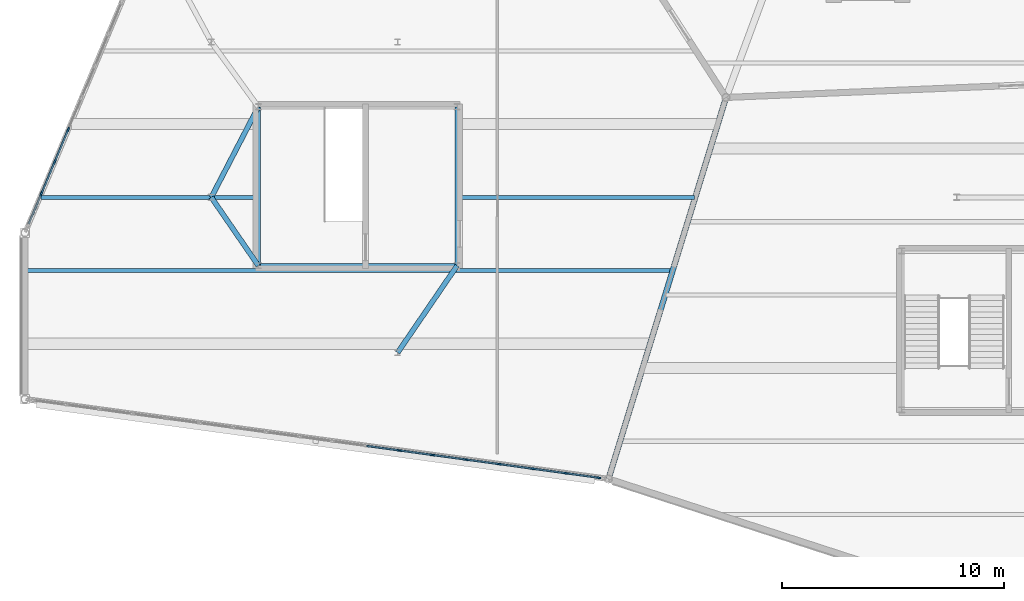
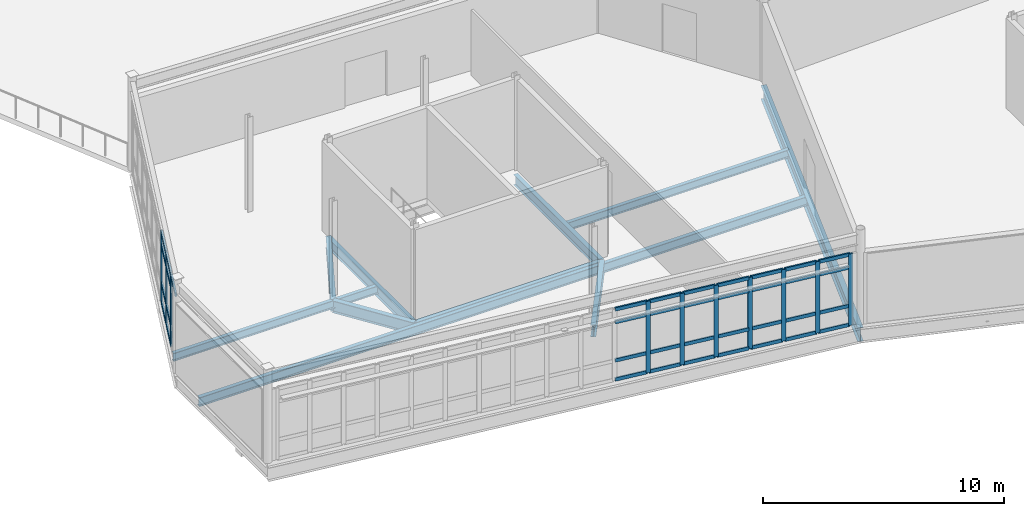
# One storey, part 43 of 114: 47 members, 10 beams, 2 elements without a shape of their own.
"""IFC4 building model written with IfcOpenShell, lengths in metres."""

from ifc_helpers import new_model, si_unit, direction, frame, origin, origin_2d, place, context, subcontext, project, spatial, rectangle, i_section, extrude, material, material_profile, profile_set, type_object, element, aggregate, save


model = new_model("IFC4")

# Units and contexts
model_context = context("Model", 3, precision=1e-05, world=origin(), true_north=direction((0.0, 1.0)))
body_context = subcontext(model_context, "Body", "Model", "MODEL_VIEW")
ifc_project = project(units=[si_unit("LENGTHUNIT", "METRE"), si_unit("AREAUNIT", "SQUARE_METRE"), si_unit("VOLUMEUNIT", "CUBIC_METRE"), si_unit("PLANEANGLEUNIT", "RADIAN"), si_unit("MASSUNIT", "GRAM", prefix="KILO")], contexts=[model_context])

# Site, building, storey
site_placement = place(None, origin())
site = spatial("IfcSite", under=ifc_project, at=site_placement, CompositionType="ELEMENT")
building_placement = place(site_placement, origin())
building = spatial("IfcBuilding", under=site, at=building_placement, Name="Tameran Prism Museum", CompositionType="ELEMENT")
storey_placement = place(building_placement, frame((0.0, 0.0, 10.199951171875)))
storey = spatial("IfcBuildingStorey", under=building, at=storey_placement, Name="L02", CompositionType="ELEMENT", Elevation=10.199951171875)

# Beams
ifc_material_1 = material(Name="Steel Grade 300PLUS (300 MPa)", Category="steel")
ifc_material_profile_1 = material_profile(ifc_material_1, i_section(OverallWidth=0.177978515625, OverallDepth=0.406005859375, WebThickness=0.0078125, FlangeThickness=0.0126953125, FilletRadius=0.011474609375, at=origin_2d()))
ifc_profile_set_1 = profile_set([ifc_material_profile_1])
beam_type_1 = type_object("IfcBeamType", Name="BM-J410A", PredefinedType="JOIST", material=ifc_profile_set_1)
beam_1_placement = place(storey_placement, frame((0.714111328125, 77.0, -0.462890625), z_axis=(1.0, 0.0, 0.0), x_axis=(0.0, 1.0, 0.0)))
element("IfcBeam", 1, at=beam_1_placement, inside=storey, type_object=beam_type_1, Name="Floor Beam BM-0927", PredefinedType="JOIST", context=body_context, shape_type="SweptSolid", body=[
    extrude(i_section(OverallWidth=0.177978515625, OverallDepth=0.406005859375, WebThickness=0.0078125, FlangeThickness=0.0126953125, FilletRadius=0.011474609375, at=origin_2d()), origin(), (0.0, 0.0, 1.0), 9.805908203125),
])
beam_2_placement = place(storey_placement, frame((19.47998046875, 77.0, -0.462890625), z_axis=(1.0, 0.0, 0.0), x_axis=(0.0, 1.0, 0.0)))
element("IfcBeam", 2, at=beam_2_placement, inside=storey, type_object=beam_type_1, Name="Floor Beam BM-0928", PredefinedType="JOIST", context=body_context, shape_type="SweptSolid", body=[
    extrude(i_section(OverallWidth=0.177978515625, OverallDepth=0.406005859375, WebThickness=0.0078125, FlangeThickness=0.0126953125, FilletRadius=0.011474609375, at=origin_2d()), origin(), (0.0, 0.0, 1.0), 10.692138671875),
])
ifc_material_2 = material(Name="Steel Grade 300PLUS (300 MPa)", Category="steel")
ifc_material_profile_2 = material_profile(ifc_material_2, i_section(OverallWidth=0.19091796875, OverallDepth=0.4599609375, WebThickness=0.010009765625, FlangeThickness=0.01611328125, FilletRadius=0.011474609375, at=origin_2d()))
ifc_profile_set_2 = profile_set([ifc_material_profile_2])
beam_type_2 = type_object("IfcBeamType", Name="BM-J460A", PredefinedType="JOIST", material=ifc_profile_set_2)
beam_3_placement = place(storey_placement, frame((0.0400390625, 73.699951171875, -0.489990234375), z_axis=(1.0, 0.0, 0.0), x_axis=(0.0, 1.0, 0.0)))
element("IfcBeam", 3, at=beam_3_placement, inside=storey, type_object=beam_type_2, Name="Floor Beam BM-0926", PredefinedType="JOIST", context=body_context, shape_type="SweptSolid", body=[
    extrude(i_section(OverallWidth=0.19091796875, OverallDepth=0.4599609375, WebThickness=0.010009765625, FlangeThickness=0.01611328125, FilletRadius=0.011474609375, at=origin_2d()), origin(), (0.0, 0.0, 1.0), 29.114990234375),
])
ifc_material_3 = material(Name="Steel Grade 300PLUS (300 MPa)", Category="steel")
ifc_material_profile_3 = material_profile(ifc_material_3, i_section(OverallWidth=0.208984375, OverallDepth=0.528076171875, WebThickness=0.009521484375, FlangeThickness=0.01318359375, FilletRadius=0.013916015625, at=origin_2d()))
ifc_profile_set_3 = profile_set([ifc_material_profile_3])
beam_type_3 = type_object("IfcBeamType", Name="BM-SP530B", PredefinedType="SPANDREL", material=ifc_profile_set_3)
beam_4_placement = place(storey_placement, frame((10.52001953125, 73.919921875, -0.52392578125), z_axis=(1.0, 0.0, 0.0), x_axis=(0.0, 1.0, 0.0)))
element("IfcBeam", 4, at=beam_4_placement, inside=storey, type_object=beam_type_3, Name="Core Ring Beam CTB-0789", PredefinedType="SPANDREL", context=body_context, shape_type="SweptSolid", body=[
    extrude(i_section(OverallWidth=0.208984375, OverallDepth=0.528076171875, WebThickness=0.009521484375, FlangeThickness=0.01318359375, FilletRadius=0.013916015625, at=origin_2d()), origin(), (0.0, 0.0, 1.0), 8.9599609375),
])
for number, where, z_axis, x_axis, name in (
    (5, (19.47998046875, 73.919921875, -0.52392578125), (0.0, 1.0, 0.0), (-1.0, 0.0, 0.0), "Core Ring Beam CTB-0790"),
    (6, (10.52001953125, 81.080078125, -0.52392578125), (0.0, -1.0, 0.0), (1.0, 0.0, 0.0), "Core Ring Beam CTB-0792"),
):
    element("IfcBeam", number, at=place(storey_placement, frame(where, z_axis=z_axis, x_axis=x_axis)), inside=storey, type_object=beam_type_3, Name=name, PredefinedType="SPANDREL", context=body_context, shape_type="SweptSolid", body=[
        extrude(i_section(OverallWidth=0.208984375, OverallDepth=0.528076171875, WebThickness=0.009521484375, FlangeThickness=0.01318359375, FilletRadius=0.013916015625, at=origin_2d()), origin(), (0.0, 0.0, 1.0), 7.16015625),
    ])
ifc_material_4 = material(Name="Steel Grade 350 (350 MPa)", Category="steel")
ifc_material_profile_4 = material_profile(ifc_material_4, i_section(OverallWidth=0.25, OverallDepth=0.699951171875, WebThickness=0.010009765625, FlangeThickness=0.02001953125, at=origin_2d()))
ifc_profile_set_4 = profile_set([ifc_material_profile_4])
beam_type_4 = type_object("IfcBeamType", Name="BM-SP700", PredefinedType="SPANDREL", material=ifc_profile_set_4)
beam_5_placement = place(storey_placement, frame((31.60009765625, 81.5, -0.60986328125), z_axis=(-0.294479498062, -0.955657797133, 0.0), x_axis=(0.955657797133, -0.294479498062, 0.0)))
element("IfcBeam", 7, at=beam_5_placement, inside=storey, type_object=beam_type_4, Name="Perimeter Spandrel SP-0731", PredefinedType="SPANDREL", context=body_context, shape_type="SweptSolid", body=[
    extrude(i_section(OverallWidth=0.25, OverallDepth=0.699951171875, WebThickness=0.010009765625, FlangeThickness=0.02001953125, at=origin_2d()), origin(), (0.0, 0.0, 1.0), 17.998046875),
])
ifc_material_5 = material(Name="Steel Grade 300PLUS (300 MPa)", Category="steel")
ifc_material_profile_5 = material_profile(ifc_material_5, i_section(OverallWidth=0.22900390625, OverallDepth=0.612060546875, WebThickness=0.011962890625, FlangeThickness=0.01953125, FilletRadius=0.013916015625, at=origin_2d()))
ifc_profile_set_5 = profile_set([ifc_material_profile_5])
beam_type_5 = type_object("IfcBeamType", Name="BM-UB610A", PredefinedType="BEAM", material=ifc_profile_set_5)
beam_6_placement = place(storey_placement, frame((8.39990234375, 77.0, -0.56591796875), z_axis=(0.566994261507, -0.823721741499, 0.0), x_axis=(0.823721741499, 0.566994261507, 0.0)))
element("IfcBeam", 8, at=beam_6_placement, inside=storey, type_object=beam_type_5, Name="Frame Tie Girder FG-1347", PredefinedType="BEAM", context=body_context, shape_type="SweptSolid", body=[
    extrude(i_section(OverallWidth=0.22900390625, OverallDepth=0.612060546875, WebThickness=0.011962890625, FlangeThickness=0.01953125, FilletRadius=0.013916015625, at=origin_2d()), origin(), (0.0, 0.0, 1.0), 3.7392578125),
])
beam_7_placement = place(storey_placement, frame((8.39990234375, 77.0, -0.56591796875), z_axis=(0.461091914182, 0.887352380217, 0.0), x_axis=(-0.887352380217, 0.461091914182, 0.0)))
element("IfcBeam", 9, at=beam_7_placement, inside=storey, type_object=beam_type_5, Name="Frame Tie Girder FG-1348", PredefinedType="BEAM", context=body_context, shape_type="SweptSolid", body=[
    extrude(i_section(OverallWidth=0.22900390625, OverallDepth=0.612060546875, WebThickness=0.011962890625, FlangeThickness=0.01953125, FilletRadius=0.013916015625, at=origin_2d()), origin(), (0.0, 0.0, 1.0), 4.59814453125),
])
beam_8_placement = place(storey_placement, frame((16.800048828125, 70.0, -0.56591796875), z_axis=(0.564379754133, 0.825515289456, 0.0), x_axis=(-0.825515289456, 0.564379754133, 0.0)))
element("IfcBeam", 10, at=beam_8_placement, inside=storey, type_object=beam_type_5, Name="Frame Tie Girder FG-1357", PredefinedType="BEAM", context=body_context, shape_type="SweptSolid", body=[
    extrude(i_section(OverallWidth=0.22900390625, OverallDepth=0.612060546875, WebThickness=0.011962890625, FlangeThickness=0.01953125, FilletRadius=0.013916015625, at=origin_2d()), origin(), (0.0, 0.0, 1.0), 4.74853515625),
])

# Curtain wall, members
ifc_material_6 = material(Name="Anodised Aluminium 6063-T6 and Cyclone Solar Glass", Category="aluminium")
curtain_wall_type_1 = type_object("IfcCurtainWallType", Name="CW-FAC-2579x362", PredefinedType="USERDEFINED", material=ifc_material_6)
curtain_wall_1_placement = place(storey_placement, origin())
curtain_wall_1 = element("IfcCurtainWall", 11, at=curtain_wall_1_placement, inside=storey, type_object=curtain_wall_type_1, Name="Unitised Curtain Wall CW-125", ObjectType="UNITISED CURTAIN WALL", PredefinedType="USERDEFINED")
ifc_material_7 = material(Name="Anodised Aluminium Alloy 6063-T6", Category="aluminium")
ifc_material_profile_6 = material_profile(ifc_material_7, rectangle(XDim=0.074951171875, YDim=0.199951171875, at=origin_2d()))
ifc_profile_set_6 = profile_set([ifc_material_profile_6])
member_type_1 = type_object("IfcMemberType", Name="CW-MUL-C", PredefinedType="MULLION", material=ifc_profile_set_6)
member_1_placement = place(storey_placement, frame((25.85693359375, 64.360107421875, 0.0), z_axis=(0.0, 0.0, 1.0), x_axis=(-0.135658330466, -0.990755679961, 0.0)))
member_1 = element("IfcMember", 12, at=member_1_placement, type_object=member_type_1, Name="CW-125 mullion 1", PredefinedType="MULLION", context=body_context, shape_type="SweptSolid", body=[
    extrude(rectangle(XDim=0.074951171875, YDim=0.199951171875, at=origin_2d()), origin(), (0.0, 0.0, 1.0), 3.6201171875),
])
member_2_placement = place(storey_placement, frame((24.39111328125, 64.560791015625, 0.0), z_axis=(0.0, 0.0, 1.0), x_axis=(-0.135658330466, -0.990755679961, 0.0)))
member_2 = element("IfcMember", 13, at=member_2_placement, type_object=member_type_1, Name="CW-125 mullion 2", PredefinedType="MULLION", context=body_context, shape_type="SweptSolid", body=[
    extrude(rectangle(XDim=0.074951171875, YDim=0.199951171875, at=origin_2d()), origin(), (0.0, 0.0, 1.0), 3.6201171875),
])
member_3_placement = place(storey_placement, frame((22.888427734375, 64.7666015625, 0.0), z_axis=(0.0, 0.0, 1.0), x_axis=(-0.135658330466, -0.990755679961, 0.0)))
member_3 = element("IfcMember", 14, at=member_3_placement, type_object=member_type_1, Name="CW-125 mullion 3", PredefinedType="MULLION", context=body_context, shape_type="SweptSolid", body=[
    extrude(rectangle(XDim=0.074951171875, YDim=0.199951171875, at=origin_2d()), origin(), (0.0, 0.0, 1.0), 3.6201171875),
])
member_4_placement = place(storey_placement, frame((21.3857421875, 64.972412109375, 0.0), z_axis=(0.0, 0.0, 1.0), x_axis=(-0.135658330466, -0.990755679961, 0.0)))
member_4 = element("IfcMember", 15, at=member_4_placement, type_object=member_type_1, Name="CW-125 mullion 4", PredefinedType="MULLION", context=body_context, shape_type="SweptSolid", body=[
    extrude(rectangle(XDim=0.074951171875, YDim=0.199951171875, at=origin_2d()), origin(), (0.0, 0.0, 1.0), 3.6201171875),
])
member_5_placement = place(storey_placement, frame((19.883056640625, 65.177978515625, 0.0), z_axis=(0.0, 0.0, 1.0), x_axis=(-0.135658330466, -0.990755679961, 0.0)))
member_5 = element("IfcMember", 16, at=member_5_placement, type_object=member_type_1, Name="CW-125 mullion 5", PredefinedType="MULLION", context=body_context, shape_type="SweptSolid", body=[
    extrude(rectangle(XDim=0.074951171875, YDim=0.199951171875, at=origin_2d()), origin(), (0.0, 0.0, 1.0), 3.6201171875),
])
member_6_placement = place(storey_placement, frame((18.380126953125, 65.3837890625, 0.0), z_axis=(0.0, 0.0, 1.0), x_axis=(-0.135658330466, -0.990755679961, 0.0)))
member_6 = element("IfcMember", 17, at=member_6_placement, type_object=member_type_1, Name="CW-125 mullion 6", PredefinedType="MULLION", context=body_context, shape_type="SweptSolid", body=[
    extrude(rectangle(XDim=0.074951171875, YDim=0.199951171875, at=origin_2d()), origin(), (0.0, 0.0, 1.0), 3.6201171875),
])
member_7_placement = place(storey_placement, frame((16.87744140625, 65.589599609375, 0.0), z_axis=(0.0, 0.0, 1.0), x_axis=(-0.135658330466, -0.990755679961, 0.0)))
member_7 = element("IfcMember", 18, at=member_7_placement, type_object=member_type_1, Name="CW-125 mullion 7", PredefinedType="MULLION", context=body_context, shape_type="SweptSolid", body=[
    extrude(rectangle(XDim=0.074951171875, YDim=0.199951171875, at=origin_2d()), origin(), (0.0, 0.0, 1.0), 3.6201171875),
])

ifc_material_8 = material(Name="Anodised Aluminium 6063-T6 and Cyclone Solar Glass", Category="aluminium")
curtain_wall_type_2 = type_object("IfcCurtainWallType", Name="CW-FAC-1405x362", PredefinedType="USERDEFINED", material=ifc_material_8)
curtain_wall_2_placement = place(storey_placement, origin())
curtain_wall_2 = element("IfcCurtainWall", 19, at=curtain_wall_2_placement, inside=storey, type_object=curtain_wall_type_2, Name="Unitised Curtain Wall CW-126", ObjectType="UNITISED CURTAIN WALL", PredefinedType="USERDEFINED")
ifc_material_9 = material(Name="Anodised Aluminium Alloy 6063-T6", Category="aluminium")
ifc_material_profile_7 = material_profile(ifc_material_9, rectangle(XDim=0.080078125, YDim=0.219970703125, at=origin_2d()))
ifc_profile_set_7 = profile_set([ifc_material_profile_7])
member_type_2 = type_object("IfcMemberType", Name="CW-MUL-D", PredefinedType="MULLION", material=ifc_profile_set_7)
member_8_placement = place(storey_placement, frame((0.73828125, 77.162353515625, 0.0), z_axis=(0.0, 0.0, 1.0), x_axis=(-0.922253342824, 0.386586046891, 0.0)))
member_8 = element("IfcMember", 20, at=member_8_placement, type_object=member_type_2, Name="CW-126 mullion 2", PredefinedType="MULLION", context=body_context, shape_type="SweptSolid", body=[
    extrude(rectangle(XDim=0.080078125, YDim=0.219970703125, at=origin_2d()), origin(), (0.0, 0.0, 1.0), 3.6201171875),
])
member_9_placement = place(storey_placement, frame((1.341552734375, 78.6015625, 0.0), z_axis=(0.0, 0.0, 1.0), x_axis=(-0.922253342824, 0.386586046891, 0.0)))
member_9 = element("IfcMember", 21, at=member_9_placement, type_object=member_type_2, Name="CW-126 mullion 3", PredefinedType="MULLION", context=body_context, shape_type="SweptSolid", body=[
    extrude(rectangle(XDim=0.080078125, YDim=0.219970703125, at=origin_2d()), origin(), (0.0, 0.0, 1.0), 3.6201171875),
])
member_10_placement = place(storey_placement, frame((1.945068359375, 80.041015625, 0.0), z_axis=(0.0, 0.0, 1.0), x_axis=(-0.922253342824, 0.386586046891, 0.0)))
member_10 = element("IfcMember", 22, at=member_10_placement, type_object=member_type_2, Name="CW-126 mullion 4", PredefinedType="MULLION", context=body_context, shape_type="SweptSolid", body=[
    extrude(rectangle(XDim=0.080078125, YDim=0.219970703125, at=origin_2d()), origin(), (0.0, 0.0, 1.0), 3.6201171875),
])

# Member
ifc_material_10 = material(Name="Anodised Aluminium Alloy 6063-T6", Category="aluminium")
ifc_material_profile_8 = material_profile(ifc_material_10, rectangle(XDim=0.074951171875, YDim=0.175048828125, at=origin_2d()))
ifc_profile_set_8 = profile_set([ifc_material_profile_8])
member_type_3 = type_object("IfcMemberType", Name="CW-TRN-C", PredefinedType="USERDEFINED", material=ifc_profile_set_8)
member_11_placement = place(storey_placement, frame((25.819580078125, 64.365234375, 0.03759765625), z_axis=(-0.990760202109, 0.135625299692, 0.0), x_axis=(-0.135625299692, -0.990760202109, 0.0)))
member_11 = element("IfcMember", 23, at=member_11_placement, type_object=member_type_3, Name="CW-125 transom 1.1", ObjectType="TRANSOM", PredefinedType="USERDEFINED", context=body_context, shape_type="SweptSolid", body=[
    extrude(rectangle(XDim=0.074951171875, YDim=0.175048828125, at=origin_2d()), origin(), (0.0, 0.0, 1.0), 1.404052734375),
])

member_12_placement = place(storey_placement, frame((25.819580078125, 64.365234375, 1.0), z_axis=(-0.990760202109, 0.135625299692, 0.0), x_axis=(-0.135625299692, -0.990760202109, 0.0)))
member_12 = element("IfcMember", 24, at=member_12_placement, type_object=member_type_3, Name="CW-125 transom 1.2", ObjectType="TRANSOM", PredefinedType="USERDEFINED", context=body_context, shape_type="SweptSolid", body=[
    extrude(rectangle(XDim=0.074951171875, YDim=0.175048828125, at=origin_2d()), origin(), (0.0, 0.0, 1.0), 1.404052734375),
])

member_13_placement = place(storey_placement, frame((25.819580078125, 64.365234375, 2.93994140625), z_axis=(-0.990760202109, 0.135625299692, 0.0), x_axis=(-0.135625299692, -0.990760202109, 0.0)))
member_13 = element("IfcMember", 25, at=member_13_placement, type_object=member_type_3, Name="CW-125 transom 1.3", ObjectType="TRANSOM", PredefinedType="USERDEFINED", context=body_context, shape_type="SweptSolid", body=[
    extrude(rectangle(XDim=0.074951171875, YDim=0.175048828125, at=origin_2d()), origin(), (0.0, 0.0, 1.0), 1.404052734375),
])

member_14_placement = place(storey_placement, frame((25.819580078125, 64.365234375, 3.58251953125), z_axis=(-0.990760202109, 0.135625299692, 0.0), x_axis=(-0.135625299692, -0.990760202109, 0.0)))
member_14 = element("IfcMember", 26, at=member_14_placement, type_object=member_type_3, Name="CW-125 transom 1.4", ObjectType="TRANSOM", PredefinedType="USERDEFINED", context=body_context, shape_type="SweptSolid", body=[
    extrude(rectangle(XDim=0.074951171875, YDim=0.175048828125, at=origin_2d()), origin(), (0.0, 0.0, 1.0), 1.404052734375),
])

member_15_placement = place(storey_placement, frame((24.35400390625, 64.56591796875, 0.03759765625), z_axis=(-0.990758932217, 0.135634576091, 0.0), x_axis=(-0.135634576091, -0.990758932217, 0.0)))
member_15 = element("IfcMember", 27, at=member_15_placement, type_object=member_type_3, Name="CW-125 transom 2.1", ObjectType="TRANSOM", PredefinedType="USERDEFINED", context=body_context, shape_type="SweptSolid", body=[
    extrude(rectangle(XDim=0.074951171875, YDim=0.175048828125, at=origin_2d()), origin(), (0.0, 0.0, 1.0), 1.44189453125),
])

member_16_placement = place(storey_placement, frame((24.35400390625, 64.56591796875, 1.0), z_axis=(-0.990758932217, 0.135634576091, 0.0), x_axis=(-0.135634576091, -0.990758932217, 0.0)))
member_16 = element("IfcMember", 28, at=member_16_placement, type_object=member_type_3, Name="CW-125 transom 2.2", ObjectType="TRANSOM", PredefinedType="USERDEFINED", context=body_context, shape_type="SweptSolid", body=[
    extrude(rectangle(XDim=0.074951171875, YDim=0.175048828125, at=origin_2d()), origin(), (0.0, 0.0, 1.0), 1.44189453125),
])

member_17_placement = place(storey_placement, frame((24.35400390625, 64.56591796875, 2.93994140625), z_axis=(-0.990758932217, 0.135634576091, 0.0), x_axis=(-0.135634576091, -0.990758932217, 0.0)))
member_17 = element("IfcMember", 29, at=member_17_placement, type_object=member_type_3, Name="CW-125 transom 2.3", ObjectType="TRANSOM", PredefinedType="USERDEFINED", context=body_context, shape_type="SweptSolid", body=[
    extrude(rectangle(XDim=0.074951171875, YDim=0.175048828125, at=origin_2d()), origin(), (0.0, 0.0, 1.0), 1.44189453125),
])

member_18_placement = place(storey_placement, frame((24.35400390625, 64.56591796875, 3.58251953125), z_axis=(-0.990758932217, 0.135634576091, 0.0), x_axis=(-0.135634576091, -0.990758932217, 0.0)))
member_18 = element("IfcMember", 30, at=member_18_placement, type_object=member_type_3, Name="CW-125 transom 2.4", ObjectType="TRANSOM", PredefinedType="USERDEFINED", context=body_context, shape_type="SweptSolid", body=[
    extrude(rectangle(XDim=0.074951171875, YDim=0.175048828125, at=origin_2d()), origin(), (0.0, 0.0, 1.0), 1.44189453125),
])

member_19_placement = place(storey_placement, frame((22.851318359375, 64.771728515625, 0.03759765625), z_axis=(-0.990758932217, 0.135634576091, 0.0), x_axis=(-0.135634576091, -0.990758932217, 0.0)))
member_19 = element("IfcMember", 31, at=member_19_placement, type_object=member_type_3, Name="CW-125 transom 3.1", ObjectType="TRANSOM", PredefinedType="USERDEFINED", context=body_context, shape_type="SweptSolid", body=[
    extrude(rectangle(XDim=0.074951171875, YDim=0.175048828125, at=origin_2d()), origin(), (0.0, 0.0, 1.0), 1.44189453125),
])

member_20_placement = place(storey_placement, frame((22.851318359375, 64.771728515625, 1.0), z_axis=(-0.990758932217, 0.135634576091, 0.0), x_axis=(-0.135634576091, -0.990758932217, 0.0)))
member_20 = element("IfcMember", 32, at=member_20_placement, type_object=member_type_3, Name="CW-125 transom 3.2", ObjectType="TRANSOM", PredefinedType="USERDEFINED", context=body_context, shape_type="SweptSolid", body=[
    extrude(rectangle(XDim=0.074951171875, YDim=0.175048828125, at=origin_2d()), origin(), (0.0, 0.0, 1.0), 1.44189453125),
])

member_21_placement = place(storey_placement, frame((22.851318359375, 64.771728515625, 2.93994140625), z_axis=(-0.990758932217, 0.135634576091, 0.0), x_axis=(-0.135634576091, -0.990758932217, 0.0)))
member_21 = element("IfcMember", 33, at=member_21_placement, type_object=member_type_3, Name="CW-125 transom 3.3", ObjectType="TRANSOM", PredefinedType="USERDEFINED", context=body_context, shape_type="SweptSolid", body=[
    extrude(rectangle(XDim=0.074951171875, YDim=0.175048828125, at=origin_2d()), origin(), (0.0, 0.0, 1.0), 1.44189453125),
])

member_22_placement = place(storey_placement, frame((22.851318359375, 64.771728515625, 3.58251953125), z_axis=(-0.990758932217, 0.135634576091, 0.0), x_axis=(-0.135634576091, -0.990758932217, 0.0)))
member_22 = element("IfcMember", 34, at=member_22_placement, type_object=member_type_3, Name="CW-125 transom 3.4", ObjectType="TRANSOM", PredefinedType="USERDEFINED", context=body_context, shape_type="SweptSolid", body=[
    extrude(rectangle(XDim=0.074951171875, YDim=0.175048828125, at=origin_2d()), origin(), (0.0, 0.0, 1.0), 1.44189453125),
])

member_23_placement = place(storey_placement, frame((21.3486328125, 64.977294921875, 0.03759765625), z_axis=(-0.990758932217, 0.135634576091, 0.0), x_axis=(-0.135634576091, -0.990758932217, 0.0)))
member_23 = element("IfcMember", 35, at=member_23_placement, type_object=member_type_3, Name="CW-125 transom 4.1", ObjectType="TRANSOM", PredefinedType="USERDEFINED", context=body_context, shape_type="SweptSolid", body=[
    extrude(rectangle(XDim=0.074951171875, YDim=0.175048828125, at=origin_2d()), origin(), (0.0, 0.0, 1.0), 1.44189453125),
])

member_24_placement = place(storey_placement, frame((21.3486328125, 64.977294921875, 1.0), z_axis=(-0.990758932217, 0.135634576091, 0.0), x_axis=(-0.135634576091, -0.990758932217, 0.0)))
member_24 = element("IfcMember", 36, at=member_24_placement, type_object=member_type_3, Name="CW-125 transom 4.2", ObjectType="TRANSOM", PredefinedType="USERDEFINED", context=body_context, shape_type="SweptSolid", body=[
    extrude(rectangle(XDim=0.074951171875, YDim=0.175048828125, at=origin_2d()), origin(), (0.0, 0.0, 1.0), 1.44189453125),
])

member_25_placement = place(storey_placement, frame((21.3486328125, 64.977294921875, 2.93994140625), z_axis=(-0.990758932217, 0.135634576091, 0.0), x_axis=(-0.135634576091, -0.990758932217, 0.0)))
member_25 = element("IfcMember", 37, at=member_25_placement, type_object=member_type_3, Name="CW-125 transom 4.3", ObjectType="TRANSOM", PredefinedType="USERDEFINED", context=body_context, shape_type="SweptSolid", body=[
    extrude(rectangle(XDim=0.074951171875, YDim=0.175048828125, at=origin_2d()), origin(), (0.0, 0.0, 1.0), 1.44189453125),
])

member_26_placement = place(storey_placement, frame((21.3486328125, 64.977294921875, 3.58251953125), z_axis=(-0.990758932217, 0.135634576091, 0.0), x_axis=(-0.135634576091, -0.990758932217, 0.0)))
member_26 = element("IfcMember", 38, at=member_26_placement, type_object=member_type_3, Name="CW-125 transom 4.4", ObjectType="TRANSOM", PredefinedType="USERDEFINED", context=body_context, shape_type="SweptSolid", body=[
    extrude(rectangle(XDim=0.074951171875, YDim=0.175048828125, at=origin_2d()), origin(), (0.0, 0.0, 1.0), 1.44189453125),
])

member_27_placement = place(storey_placement, frame((19.845703125, 65.18310546875, 0.03759765625), z_axis=(-0.990758932217, 0.135634576091, 0.0), x_axis=(-0.135634576091, -0.990758932217, 0.0)))
member_27 = element("IfcMember", 39, at=member_27_placement, type_object=member_type_3, Name="CW-125 transom 5.1", ObjectType="TRANSOM", PredefinedType="USERDEFINED", context=body_context, shape_type="SweptSolid", body=[
    extrude(rectangle(XDim=0.074951171875, YDim=0.175048828125, at=origin_2d()), origin(), (0.0, 0.0, 1.0), 1.44189453125),
])

member_28_placement = place(storey_placement, frame((19.845703125, 65.18310546875, 1.0), z_axis=(-0.990758932217, 0.135634576091, 0.0), x_axis=(-0.135634576091, -0.990758932217, 0.0)))
member_28 = element("IfcMember", 40, at=member_28_placement, type_object=member_type_3, Name="CW-125 transom 5.2", ObjectType="TRANSOM", PredefinedType="USERDEFINED", context=body_context, shape_type="SweptSolid", body=[
    extrude(rectangle(XDim=0.074951171875, YDim=0.175048828125, at=origin_2d()), origin(), (0.0, 0.0, 1.0), 1.44189453125),
])

member_29_placement = place(storey_placement, frame((19.845703125, 65.18310546875, 2.93994140625), z_axis=(-0.990758932217, 0.135634576091, 0.0), x_axis=(-0.135634576091, -0.990758932217, 0.0)))
member_29 = element("IfcMember", 41, at=member_29_placement, type_object=member_type_3, Name="CW-125 transom 5.3", ObjectType="TRANSOM", PredefinedType="USERDEFINED", context=body_context, shape_type="SweptSolid", body=[
    extrude(rectangle(XDim=0.074951171875, YDim=0.175048828125, at=origin_2d()), origin(), (0.0, 0.0, 1.0), 1.44189453125),
])

member_30_placement = place(storey_placement, frame((19.845703125, 65.18310546875, 3.58251953125), z_axis=(-0.990758932217, 0.135634576091, 0.0), x_axis=(-0.135634576091, -0.990758932217, 0.0)))
member_30 = element("IfcMember", 42, at=member_30_placement, type_object=member_type_3, Name="CW-125 transom 5.4", ObjectType="TRANSOM", PredefinedType="USERDEFINED", context=body_context, shape_type="SweptSolid", body=[
    extrude(rectangle(XDim=0.074951171875, YDim=0.175048828125, at=origin_2d()), origin(), (0.0, 0.0, 1.0), 1.44189453125),
])

member_31_placement = place(storey_placement, frame((18.343017578125, 65.388916015625, 0.03759765625), z_axis=(-0.990758932217, 0.135634576091, 0.0), x_axis=(-0.135634576091, -0.990758932217, 0.0)))
member_31 = element("IfcMember", 43, at=member_31_placement, type_object=member_type_3, Name="CW-125 transom 6.1", ObjectType="TRANSOM", PredefinedType="USERDEFINED", context=body_context, shape_type="SweptSolid", body=[
    extrude(rectangle(XDim=0.074951171875, YDim=0.175048828125, at=origin_2d()), origin(), (0.0, 0.0, 1.0), 1.44189453125),
])

member_32_placement = place(storey_placement, frame((18.343017578125, 65.388916015625, 1.0), z_axis=(-0.990758932217, 0.135634576091, 0.0), x_axis=(-0.135634576091, -0.990758932217, 0.0)))
member_32 = element("IfcMember", 44, at=member_32_placement, type_object=member_type_3, Name="CW-125 transom 6.2", ObjectType="TRANSOM", PredefinedType="USERDEFINED", context=body_context, shape_type="SweptSolid", body=[
    extrude(rectangle(XDim=0.074951171875, YDim=0.175048828125, at=origin_2d()), origin(), (0.0, 0.0, 1.0), 1.44189453125),
])

member_33_placement = place(storey_placement, frame((18.343017578125, 65.388916015625, 2.93994140625), z_axis=(-0.990758932217, 0.135634576091, 0.0), x_axis=(-0.135634576091, -0.990758932217, 0.0)))
member_33 = element("IfcMember", 45, at=member_33_placement, type_object=member_type_3, Name="CW-125 transom 6.3", ObjectType="TRANSOM", PredefinedType="USERDEFINED", context=body_context, shape_type="SweptSolid", body=[
    extrude(rectangle(XDim=0.074951171875, YDim=0.175048828125, at=origin_2d()), origin(), (0.0, 0.0, 1.0), 1.44189453125),
])

member_34_placement = place(storey_placement, frame((18.343017578125, 65.388916015625, 3.58251953125), z_axis=(-0.990758932217, 0.135634576091, 0.0), x_axis=(-0.135634576091, -0.990758932217, 0.0)))
member_34 = element("IfcMember", 46, at=member_34_placement, type_object=member_type_3, Name="CW-125 transom 6.4", ObjectType="TRANSOM", PredefinedType="USERDEFINED", context=body_context, shape_type="SweptSolid", body=[
    extrude(rectangle(XDim=0.074951171875, YDim=0.175048828125, at=origin_2d()), origin(), (0.0, 0.0, 1.0), 1.44189453125),
])

member_35_placement = place(storey_placement, frame((16.84033203125, 65.5947265625, 0.03759765625), z_axis=(-0.990758932217, 0.135634576091, 0.0), x_axis=(-0.135634576091, -0.990758932217, 0.0)))
member_35 = element("IfcMember", 47, at=member_35_placement, type_object=member_type_3, Name="CW-125 transom 7.1", ObjectType="TRANSOM", PredefinedType="USERDEFINED", context=body_context, shape_type="SweptSolid", body=[
    extrude(rectangle(XDim=0.074951171875, YDim=0.175048828125, at=origin_2d()), origin(), (0.0, 0.0, 1.0), 1.44189453125),
])

member_36_placement = place(storey_placement, frame((16.84033203125, 65.5947265625, 1.0), z_axis=(-0.990758932217, 0.135634576091, 0.0), x_axis=(-0.135634576091, -0.990758932217, 0.0)))
member_36 = element("IfcMember", 48, at=member_36_placement, type_object=member_type_3, Name="CW-125 transom 7.2", ObjectType="TRANSOM", PredefinedType="USERDEFINED", context=body_context, shape_type="SweptSolid", body=[
    extrude(rectangle(XDim=0.074951171875, YDim=0.175048828125, at=origin_2d()), origin(), (0.0, 0.0, 1.0), 1.44189453125),
])

member_37_placement = place(storey_placement, frame((16.84033203125, 65.5947265625, 2.93994140625), z_axis=(-0.990758932217, 0.135634576091, 0.0), x_axis=(-0.135634576091, -0.990758932217, 0.0)))
member_37 = element("IfcMember", 49, at=member_37_placement, type_object=member_type_3, Name="CW-125 transom 7.3", ObjectType="TRANSOM", PredefinedType="USERDEFINED", context=body_context, shape_type="SweptSolid", body=[
    extrude(rectangle(XDim=0.074951171875, YDim=0.175048828125, at=origin_2d()), origin(), (0.0, 0.0, 1.0), 1.44189453125),
])

member_38_placement = place(storey_placement, frame((16.84033203125, 65.5947265625, 3.58251953125), z_axis=(-0.990758932217, 0.135634576091, 0.0), x_axis=(-0.135634576091, -0.990758932217, 0.0)))
member_38 = element("IfcMember", 50, at=member_38_placement, type_object=member_type_3, Name="CW-125 transom 7.4", ObjectType="TRANSOM", PredefinedType="USERDEFINED", context=body_context, shape_type="SweptSolid", body=[
    extrude(rectangle(XDim=0.074951171875, YDim=0.175048828125, at=origin_2d()), origin(), (0.0, 0.0, 1.0), 1.44189453125),
])

aggregate(curtain_wall_1, [member_1, member_2, member_3, member_4, member_5, member_6, member_7, member_11, member_12, member_13, member_14, member_15, member_16, member_17, member_18, member_19, member_20, member_21, member_22, member_23, member_24, member_25, member_26, member_27, member_28, member_29, member_30, member_31, member_32, member_33, member_34, member_35, member_36, member_37, member_38])

ifc_material_11 = material(Name="Anodised Aluminium Alloy 6063-T6", Category="aluminium")
ifc_material_profile_9 = material_profile(ifc_material_11, rectangle(XDim=0.080078125, YDim=0.195068359375, at=origin_2d()))
ifc_profile_set_9 = profile_set([ifc_material_profile_9])
member_type_4 = type_object("IfcMemberType", Name="CW-TRN-D", PredefinedType="USERDEFINED", material=ifc_profile_set_9)
member_39_placement = place(storey_placement, frame((0.166015625, 75.796875, 3.580078125), z_axis=(0.386563947824, 0.922262605901, 0.0), x_axis=(-0.922262605901, 0.386563947824, 0.0)))
member_39 = element("IfcMember", 51, at=member_39_placement, type_object=member_type_4, Name="CW-126 transom 1.4", ObjectType="TRANSOM", PredefinedType="USERDEFINED", context=body_context, shape_type="SweptSolid", body=[
    extrude(rectangle(XDim=0.080078125, YDim=0.195068359375, at=origin_2d()), origin(), (0.0, 0.0, 1.0), 1.440673828125),
])

member_40_placement = place(storey_placement, frame((0.75390625, 77.19921875, 0.0400390625), z_axis=(0.386523096908, 0.922279727391, 0.0), x_axis=(-0.922279727391, 0.386523096908, 0.0)))
member_40 = element("IfcMember", 52, at=member_40_placement, type_object=member_type_4, Name="CW-126 transom 2.1", ObjectType="TRANSOM", PredefinedType="USERDEFINED", context=body_context, shape_type="SweptSolid", body=[
    extrude(rectangle(XDim=0.080078125, YDim=0.195068359375, at=origin_2d()), origin(), (0.0, 0.0, 1.0), 1.48046875),
])

member_41_placement = place(storey_placement, frame((0.75390625, 77.19921875, 1.0), z_axis=(0.386523096908, 0.922279727391, 0.0), x_axis=(-0.922279727391, 0.386523096908, 0.0)))
member_41 = element("IfcMember", 53, at=member_41_placement, type_object=member_type_4, Name="CW-126 transom 2.2", ObjectType="TRANSOM", PredefinedType="USERDEFINED", context=body_context, shape_type="SweptSolid", body=[
    extrude(rectangle(XDim=0.080078125, YDim=0.195068359375, at=origin_2d()), origin(), (0.0, 0.0, 1.0), 1.48046875),
])

member_42_placement = place(storey_placement, frame((0.75390625, 77.19921875, 2.93994140625), z_axis=(0.386523096908, 0.922279727391, 0.0), x_axis=(-0.922279727391, 0.386523096908, 0.0)))
member_42 = element("IfcMember", 54, at=member_42_placement, type_object=member_type_4, Name="CW-126 transom 2.3", ObjectType="TRANSOM", PredefinedType="USERDEFINED", context=body_context, shape_type="SweptSolid", body=[
    extrude(rectangle(XDim=0.080078125, YDim=0.195068359375, at=origin_2d()), origin(), (0.0, 0.0, 1.0), 1.48046875),
])

member_43_placement = place(storey_placement, frame((0.75390625, 77.19921875, 3.580078125), z_axis=(0.386523096908, 0.922279727391, 0.0), x_axis=(-0.922279727391, 0.386523096908, 0.0)))
member_43 = element("IfcMember", 55, at=member_43_placement, type_object=member_type_4, Name="CW-126 transom 2.4", ObjectType="TRANSOM", PredefinedType="USERDEFINED", context=body_context, shape_type="SweptSolid", body=[
    extrude(rectangle(XDim=0.080078125, YDim=0.195068359375, at=origin_2d()), origin(), (0.0, 0.0, 1.0), 1.48046875),
])

member_44_placement = place(storey_placement, frame((1.357177734375, 78.638671875, 0.0400390625), z_axis=(0.386523096908, 0.922279727391, 0.0), x_axis=(-0.922279727391, 0.386523096908, 0.0)))
member_44 = element("IfcMember", 56, at=member_44_placement, type_object=member_type_4, Name="CW-126 transom 3.1", ObjectType="TRANSOM", PredefinedType="USERDEFINED", context=body_context, shape_type="SweptSolid", body=[
    extrude(rectangle(XDim=0.080078125, YDim=0.195068359375, at=origin_2d()), origin(), (0.0, 0.0, 1.0), 1.48046875),
])

member_45_placement = place(storey_placement, frame((1.357177734375, 78.638671875, 1.0), z_axis=(0.386523096908, 0.922279727391, 0.0), x_axis=(-0.922279727391, 0.386523096908, 0.0)))
member_45 = element("IfcMember", 57, at=member_45_placement, type_object=member_type_4, Name="CW-126 transom 3.2", ObjectType="TRANSOM", PredefinedType="USERDEFINED", context=body_context, shape_type="SweptSolid", body=[
    extrude(rectangle(XDim=0.080078125, YDim=0.195068359375, at=origin_2d()), origin(), (0.0, 0.0, 1.0), 1.48046875),
])

member_46_placement = place(storey_placement, frame((1.357177734375, 78.638671875, 2.93994140625), z_axis=(0.386523096908, 0.922279727391, 0.0), x_axis=(-0.922279727391, 0.386523096908, 0.0)))
member_46 = element("IfcMember", 58, at=member_46_placement, type_object=member_type_4, Name="CW-126 transom 3.3", ObjectType="TRANSOM", PredefinedType="USERDEFINED", context=body_context, shape_type="SweptSolid", body=[
    extrude(rectangle(XDim=0.080078125, YDim=0.195068359375, at=origin_2d()), origin(), (0.0, 0.0, 1.0), 1.48046875),
])

member_47_placement = place(storey_placement, frame((1.357177734375, 78.638671875, 3.580078125), z_axis=(0.386523096908, 0.922279727391, 0.0), x_axis=(-0.922279727391, 0.386523096908, 0.0)))
member_47 = element("IfcMember", 59, at=member_47_placement, type_object=member_type_4, Name="CW-126 transom 3.4", ObjectType="TRANSOM", PredefinedType="USERDEFINED", context=body_context, shape_type="SweptSolid", body=[
    extrude(rectangle(XDim=0.080078125, YDim=0.195068359375, at=origin_2d()), origin(), (0.0, 0.0, 1.0), 1.48046875),
])

aggregate(curtain_wall_2, [member_8, member_9, member_10, member_39, member_40, member_41, member_42, member_43, member_44, member_45, member_46, member_47])

save(model, "model.ifc")
